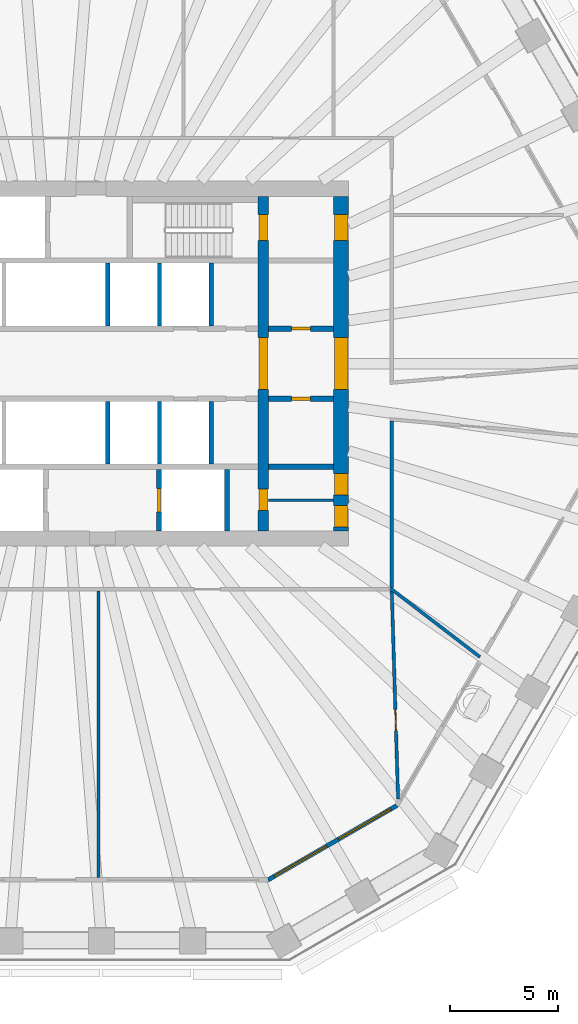
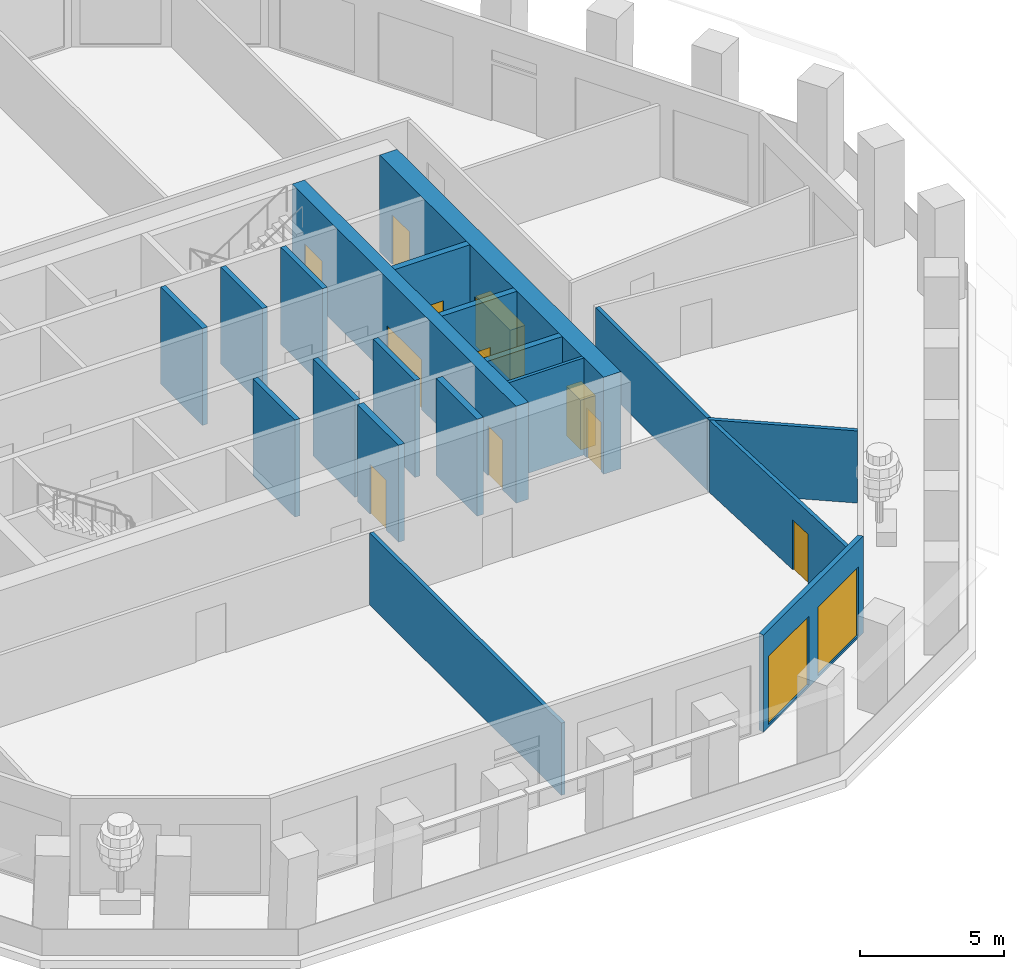
# One storey, part 5 of 12: 19 walls, 11 doors, 2 windows, 13 openings.
"""IFC4 building model written with IfcOpenShell, lengths in metres."""

from ifc_helpers import new_model, si_unit, direction, frame, frame_2d, origin, place, context, subcontext, project, spatial, polyline, rectangle, outline, extrude, material, layer, layer_set, type_object, element, fill, save


model = new_model("IFC4")

# Units and contexts
model_context = context("Model", 3, precision=1e-05, world=origin(), true_north=direction((0.0, 1.0)))
body_context = subcontext(model_context, "Body", "Model", "MODEL_VIEW")
ifc_project = project(units=[si_unit("LENGTHUNIT", "METRE"), si_unit("AREAUNIT", "SQUARE_METRE"), si_unit("VOLUMEUNIT", "CUBIC_METRE"), si_unit("PLANEANGLEUNIT", "RADIAN"), si_unit("MASSUNIT", "GRAM", prefix="KILO")], contexts=[model_context])

# Site, building, storey
site_placement = place(None, origin())
site = spatial("IfcSite", under=ifc_project, at=site_placement, CompositionType="ELEMENT")
building_placement = place(site_placement, origin())
building = spatial("IfcBuilding", under=site, at=building_placement, Name="Frailejon Research Tower", CompositionType="ELEMENT")
storey_placement = place(building_placement, frame((0.0, 0.0, 145.199951171875)))
storey = spatial("IfcBuildingStorey", under=building, at=storey_placement, Name="L31", CompositionType="ELEMENT", Elevation=145.199951171875)

# Wall
ifc_material_1 = material(Name="Plasterboard on steel studs", Category="steel")
ifc_layer_1 = layer(ifc_material_1, 0.125)
ifc_layer_set_1 = layer_set([ifc_layer_1], Name="Core partition 125")
wall_type_1 = type_object("IfcWallType", Name="Core partition 125", PredefinedType="PARTITIONING", material=ifc_layer_set_1)
wall_1_placement = place(storey_placement, frame((9.85009765625, -6.324951171875, 0.0), z_axis=(0.0, 0.0, 1.0), x_axis=(1.0, 0.0, 0.0)))
element("IfcWall", 1, at=wall_1_placement, inside=storey, type_object=wall_type_1, Name="Core partition", PredefinedType="PARTITIONING", context=body_context, shape_type="SweptSolid", body=[
    extrude(rectangle(XDim=3.0, YDim=0.125, at=frame_2d((1.5, 0.0))), origin(), (0.0, 0.0, 1.0), 4.10009765625),
])

# Wall, openings, doors
ifc_material_2 = material(Name="Concrete C60/75", Category="concrete")
ifc_layer_2 = layer(ifc_material_2, 0.5)
ifc_layer_set_2 = layer_set([ifc_layer_2], Name="Core shear wall 500 C60/75")
wall_type_2 = type_object("IfcWallType", Name="Core shear wall 500 C60/75", PredefinedType="SHEAR", material=ifc_layer_set_2)
wall_2_placement = place(storey_placement, frame((9.60009765625, -7.75, 0.0), z_axis=(0.0, 0.0, 1.0), x_axis=(0.0, 1.0, 0.0)))
wall_2 = element("IfcWall", 2, at=wall_2_placement, inside=storey, type_object=wall_type_2, Name="Core shear wall", PredefinedType="SHEAR", context=body_context, shape_type="SweptSolid", body=[
    extrude(rectangle(XDim=15.5, YDim=0.5, at=frame_2d((7.75, 0.0))), origin(), (0.0, 0.0, 1.0), 4.10009765625),
])
opening_1_placement = place(wall_2_placement, frame((6.550048828125, 0.0, 0.0)))
opening_1 = element("IfcOpeningElement", 3, at=opening_1_placement, cuts=wall_2, Name="Opening D2", PredefinedType="OPENING", context=body_context, shape_type="SweptSolid", body=[
    extrude(rectangle(XDim=2.39990234375, YDim=2.10009765625, at=frame_2d((1.199951171875, 1.050048828125))), frame((0.0, 0.260009765625, 0.0), z_axis=(0.0, -1.0, 0.0), x_axis=(1.0, 0.0, 0.0)), (0.0, 0.0, 1.0), 0.52001953125),
])
opening_2_placement = place(wall_2_placement, frame((13.449951171875, 0.0, 0.0)))
opening_2 = element("IfcOpeningElement", 4, at=opening_2_placement, cuts=wall_2, Name="Opening D1", PredefinedType="OPENING", context=body_context, shape_type="SweptSolid", body=[
    extrude(rectangle(XDim=1.199951171875, YDim=2.10009765625, at=frame_2d((0.60009765625, 1.050048828125))), frame((0.0, 0.260009765625, 0.0), z_axis=(0.0, -1.0, 0.0), x_axis=(1.0, 0.0, 0.0)), (0.0, 0.0, 1.0), 0.52001953125),
])
opening_3_placement = place(wall_2_placement, frame((0.949951171875, 0.0, 0.0)))
opening_3 = element("IfcOpeningElement", 5, at=opening_3_placement, cuts=wall_2, Name="Opening D4", PredefinedType="OPENING", context=body_context, shape_type="SweptSolid", body=[
    extrude(rectangle(XDim=1.0, YDim=2.10009765625, at=frame_2d((0.5, 1.050048828125))), frame((0.0, 0.260009765625, 0.0), z_axis=(0.0, -1.0, 0.0), x_axis=(1.0, 0.0, 0.0)), (0.0, 0.0, 1.0), 0.52001953125),
])
ifc_material_3 = material(Name="Steel", Category="steel")
door_type_1 = type_object("IfcDoorType", Name="Lobby double door", OperationType="DOUBLE_DOOR_SINGLE_SWING", PredefinedType="DOOR", material=ifc_material_3)
door_1_placement = place(opening_1_placement, origin())
door_1 = element("IfcDoor", 6, at=door_1_placement, inside=storey, type_object=door_type_1, Name="Lobby door", OperationType="DOUBLE_DOOR_SINGLE_SWING", OverallHeight=2.10009765625, OverallWidth=2.39990234375, PredefinedType="DOOR", context=body_context, shape_type="SweptSolid", body=[
    extrude(rectangle(XDim=2.39990234375, YDim=2.10009765625, at=frame_2d((1.199951171875, 1.050048828125))), frame((0.0, 0.199951171875, 0.0), z_axis=(0.0, -1.0, 0.0), x_axis=(1.0, 0.0, 0.0)), (0.0, 0.0, 1.0), 0.39990234375),
])
fill(opening_1, door_1)
ifc_material_4 = material(Name="Steel", Category="steel")
door_type_2 = type_object("IfcDoorType", Name="Service door", OperationType="SINGLE_SWING_LEFT", PredefinedType="DOOR", material=ifc_material_4)
door_2_placement = place(opening_3_placement, origin())
door_2 = element("IfcDoor", 7, at=door_2_placement, inside=storey, type_object=door_type_2, Name="Riser door", OperationType="SINGLE_SWING_RIGHT", OverallHeight=2.10009765625, OverallWidth=1.0, PredefinedType="DOOR", context=body_context, shape_type="SweptSolid", body=[
    extrude(rectangle(XDim=1.0, YDim=2.10009765625, at=frame_2d((0.5, 1.050048828125))), frame((0.0, 0.199951171875, 0.0), z_axis=(0.0, -1.0, 0.0), x_axis=(1.0, 0.0, 0.0)), (0.0, 0.0, 1.0), 0.39990234375),
])
fill(opening_3, door_2)
ifc_material_5 = material(Name="Steel", Category="steel")
door_type_3 = type_object("IfcDoorType", Name="Stair door", OperationType="SINGLE_SWING_LEFT", PredefinedType="DOOR", material=ifc_material_5)
door_3_placement = place(opening_2_placement, origin())
door_3 = element("IfcDoor", 8, at=door_3_placement, inside=storey, type_object=door_type_3, Name="Stair door ST3", OperationType="SINGLE_SWING_RIGHT", OverallHeight=2.10009765625, OverallWidth=1.199951171875, PredefinedType="DOOR", context=body_context, shape_type="SweptSolid", body=[
    extrude(rectangle(XDim=1.199951171875, YDim=2.10009765625, at=frame_2d((0.60009765625, 1.050048828125))), frame((0.0, 0.199951171875, 0.0), z_axis=(0.0, -1.0, 0.0), x_axis=(1.0, 0.0, 0.0)), (0.0, 0.0, 1.0), 0.39990234375),
])
fill(opening_2, door_3)

ifc_material_6 = material(Name="Concrete C60/75", Category="concrete")
ifc_layer_3 = layer(ifc_material_6, 0.699951171875)
ifc_layer_set_3 = layer_set([ifc_layer_3], Name="Core shear wall 700 C60/75")
wall_type_3 = type_object("IfcWallType", Name="Core shear wall 700 C60/75", PredefinedType="SHEAR", material=ifc_layer_set_3)
wall_3_placement = place(storey_placement, frame((13.199951171875, -7.75, 0.0), z_axis=(0.0, 0.0, 1.0), x_axis=(0.0, 1.0, 0.0)))
wall_3 = element("IfcWall", 9, at=wall_3_placement, inside=storey, type_object=wall_type_3, Name="Core shear wall", PredefinedType="SHEAR", context=body_context, shape_type="SweptSolid", body=[
    extrude(rectangle(XDim=15.5, YDim=0.699951171875, at=frame_2d((7.75, 0.0))), origin(), (0.0, 0.0, 1.0), 4.10009765625),
])
opening_4_placement = place(wall_3_placement, frame((6.550048828125, 0.0, 0.0)))
opening_4 = element("IfcOpeningElement", 10, at=opening_4_placement, cuts=wall_3, Name="Opening D2", PredefinedType="OPENING", context=body_context, shape_type="SweptSolid", body=[
    extrude(rectangle(XDim=2.39990234375, YDim=2.10009765625, at=frame_2d((1.199951171875, 1.050048828125))), frame((0.0, 0.35986328125, 0.0), z_axis=(0.0, -1.0, 0.0), x_axis=(1.0, 0.0, 0.0)), (0.0, 0.0, 1.0), 0.719970703125),
])
opening_5_placement = place(wall_3_placement, frame((13.449951171875, 0.0, 0.0)))
opening_5 = element("IfcOpeningElement", 11, at=opening_5_placement, cuts=wall_3, Name="Opening D7", PredefinedType="OPENING", context=body_context, shape_type="SweptSolid", body=[
    extrude(rectangle(XDim=1.199951171875, YDim=2.10009765625, at=frame_2d((0.60009765625, 1.050048828125))), frame((0.0, 0.35986328125, 0.0), z_axis=(0.0, -1.0, 0.0), x_axis=(1.0, 0.0, 0.0)), (0.0, 0.0, 1.0), 0.719970703125),
])
opening_6_placement = place(wall_3_placement, frame((0.181396484375, 0.0, 0.0)))
opening_6 = element("IfcOpeningElement", 12, at=opening_6_placement, cuts=wall_3, Name="Opening D4", PredefinedType="OPENING", context=body_context, shape_type="SweptSolid", body=[
    extrude(rectangle(XDim=1.0, YDim=2.10009765625, at=frame_2d((0.5, 1.050048828125))), frame((0.0, 0.35986328125, 0.0), z_axis=(0.0, -1.0, 0.0), x_axis=(1.0, 0.0, 0.0)), (0.0, 0.0, 1.0), 0.719970703125),
])
opening_7_placement = place(wall_3_placement, frame((1.668701171875, 0.0, 0.0)))
opening_7 = element("IfcOpeningElement", 13, at=opening_7_placement, cuts=wall_3, Name="Opening D4", PredefinedType="OPENING", context=body_context, shape_type="SweptSolid", body=[
    extrude(rectangle(XDim=1.0, YDim=2.10009765625, at=frame_2d((0.5, 1.050048828125))), frame((0.0, 0.35986328125, 0.0), z_axis=(0.0, -1.0, 0.0), x_axis=(1.0, 0.0, 0.0)), (0.0, 0.0, 1.0), 0.719970703125),
])
door_4_placement = place(opening_4_placement, origin())
door_4 = element("IfcDoor", 14, at=door_4_placement, inside=storey, type_object=door_type_1, Name="Lobby door", OperationType="DOUBLE_DOOR_SINGLE_SWING", OverallHeight=2.10009765625, OverallWidth=2.39990234375, PredefinedType="DOOR", context=body_context, shape_type="SweptSolid", body=[
    extrude(rectangle(XDim=2.39990234375, YDim=2.10009765625, at=frame_2d((1.199951171875, 1.050048828125))), frame((0.0, 0.300048828125, 0.0), z_axis=(0.0, -1.0, 0.0), x_axis=(1.0, 0.0, 0.0)), (0.0, 0.0, 1.0), 0.60009765625),
])
fill(opening_4, door_4)
door_5_placement = place(opening_6_placement, origin())
door_5 = element("IfcDoor", 15, at=door_5_placement, inside=storey, type_object=door_type_2, Name="Store door", OperationType="SINGLE_SWING_LEFT", OverallHeight=2.10009765625, OverallWidth=1.0, PredefinedType="DOOR", context=body_context, shape_type="SweptSolid", body=[
    extrude(rectangle(XDim=1.0, YDim=2.10009765625, at=frame_2d((0.5, 1.050048828125))), frame((0.0, 0.300048828125, 0.0), z_axis=(0.0, -1.0, 0.0), x_axis=(1.0, 0.0, 0.0)), (0.0, 0.0, 1.0), 0.60009765625),
])
fill(opening_6, door_5)
door_6_placement = place(opening_7_placement, origin())
door_6 = element("IfcDoor", 16, at=door_6_placement, inside=storey, type_object=door_type_2, Name="Store door", OperationType="SINGLE_SWING_RIGHT", OverallHeight=2.10009765625, OverallWidth=1.0, PredefinedType="DOOR", context=body_context, shape_type="SweptSolid", body=[
    extrude(rectangle(XDim=1.0, YDim=2.10009765625, at=frame_2d((0.5, 1.050048828125))), frame((0.0, 0.300048828125, 0.0), z_axis=(0.0, -1.0, 0.0), x_axis=(1.0, 0.0, 0.0)), (0.0, 0.0, 1.0), 0.60009765625),
])
fill(opening_7, door_6)
ifc_material_7 = material(Name="Steel", Category="steel")
door_type_4 = type_object("IfcDoorType", Name="Stair exit door", OperationType="SINGLE_SWING_LEFT", PredefinedType="DOOR", material=ifc_material_7)
door_7_placement = place(opening_5_placement, origin())
door_7 = element("IfcDoor", 17, at=door_7_placement, inside=storey, type_object=door_type_4, Name="Stair exit door ST3", OperationType="SINGLE_SWING_LEFT", OverallHeight=2.10009765625, OverallWidth=1.199951171875, PredefinedType="DOOR", context=body_context, shape_type="SweptSolid", body=[
    extrude(rectangle(XDim=1.199951171875, YDim=2.10009765625, at=frame_2d((0.60009765625, 1.050048828125))), frame((0.0, 0.300048828125, 0.0), z_axis=(0.0, -1.0, 0.0), x_axis=(1.0, 0.0, 0.0)), (0.0, 0.0, 1.0), 0.60009765625),
])
fill(opening_5, door_7)

# Walls
ifc_material_8 = material(Name="Gypsum board and masonry partition", Category="masonry")
ifc_layer_4 = layer(ifc_material_8, 0.14990234375)
ifc_layer_set_4 = layer_set([ifc_layer_4], Name="Corridor wall EI 60, gypsum on steel studs 150")
wall_type_4 = type_object("IfcWallType", Name="Corridor wall EI 60, gypsum on steel studs 150", PredefinedType="PARTITIONING", material=ifc_layer_set_4)
wall_4_placement = place(storey_placement, frame((15.550048828125, -10.375, 0.0), z_axis=(0.0, 0.0, 1.0), x_axis=(0.0, 1.0, 0.0)))
element("IfcWall", 18, at=wall_4_placement, inside=storey, type_object=wall_type_4, Name="T:IW:L31:001", PredefinedType="PARTITIONING", context=body_context, shape_type="SweptSolid", body=[
    extrude(rectangle(XDim=7.718017578125, YDim=0.14990234375, at=frame_2d((3.85888671875, 0.0))), origin(), (0.0, 0.0, 1.0), 3.050048828125),
])
ifc_material_9 = material(Name="Gypsum board and masonry partition", Category="masonry")
ifc_layer_5 = layer(ifc_material_9, 0.14990234375)
ifc_layer_set_5 = layer_set([ifc_layer_5], Name="Laboratory partition, blockwork 150")
wall_type_5 = type_object("IfcWallType", Name="Laboratory partition, blockwork 150", PredefinedType="PARTITIONING", material=ifc_layer_set_5)
wall_5_placement = place(storey_placement, frame((1.97119140625, -23.800048828125, 0.0), z_axis=(0.0, 0.0, 1.0), x_axis=(0.0, 1.0, 0.0)))
element("IfcWall", 19, at=wall_5_placement, inside=storey, type_object=wall_type_5, Name="T:IW:L31:018", PredefinedType="PARTITIONING", context=body_context, shape_type="SweptSolid", body=[
    extrude(rectangle(XDim=13.275146484375, YDim=0.14990234375, at=frame_2d((6.6376953125, 0.0))), origin(), (0.0, 0.0, 1.0), 3.050048828125),
])

# Wall, opening, door
wall_6_placement = place(storey_placement, frame((15.55224609375, -10.52490234375, 0.0), z_axis=(0.0, 0.0, 1.0), x_axis=(0.030379644099, -0.99953843209, 0.0)))
wall_6 = element("IfcWall", 20, at=wall_6_placement, inside=storey, type_object=wall_type_5, Name="T:IW:L31:019", PredefinedType="PARTITIONING", context=body_context, shape_type="SweptSolid", body=[
    extrude(rectangle(XDim=9.635498046875, YDim=0.14990234375, at=frame_2d((4.81787109375, 0.0))), origin(), (0.0, 0.0, 1.0), 3.050048828125),
])
opening_8_placement = place(wall_6_placement, frame((5.481689453125, 0.0, 0.0)))
opening_8 = element("IfcOpeningElement", 21, at=opening_8_placement, cuts=wall_6, Name="Opening D1706", PredefinedType="OPENING", context=body_context, shape_type="SweptSolid", body=[
    extrude(rectangle(XDim=1.0, YDim=2.10009765625, at=frame_2d((0.5, 1.050048828125))), frame((0.0, 0.0849609375, 0.0), z_axis=(0.0, -1.0, 0.0), x_axis=(1.0, 0.0, 0.0)), (0.0, 0.0, 1.0), 0.169921875),
])
ifc_material_10 = material(Name="Timber door leaf", Category="wood")
door_type_5 = type_object("IfcDoorType", Name="Door laboratory, timber, vision panel 1000", OperationType="NOTDEFINED", PredefinedType="DOOR", material=ifc_material_10)
door_8_placement = place(opening_8_placement, origin())
door_8 = element("IfcDoor", 22, at=door_8_placement, inside=storey, type_object=door_type_5, Name="D1706", OperationType="SINGLE_SWING_RIGHT", OverallHeight=2.10009765625, OverallWidth=1.0, PredefinedType="DOOR", context=body_context, shape_type="SweptSolid", body=[
    extrude(rectangle(XDim=1.0, YDim=2.10009765625, at=frame_2d((0.5, 1.050048828125))), frame((0.0, 0.02490234375, 0.0), z_axis=(0.0, -1.0, 0.0), x_axis=(1.0, 0.0, 0.0)), (0.0, 0.0, 1.0), 0.050048828125),
])
fill(opening_8, door_8)

# Walls
wall_7_placement = place(storey_placement, frame((15.490478515625, -10.404296875, 0.0), z_axis=(0.0, 0.0, 1.0), x_axis=(0.793633423359, -0.608396243683, 0.0)))
element("IfcWall", 23, at=wall_7_placement, inside=storey, type_object=wall_type_5, Name="T:IW:L31:020", PredefinedType="PARTITIONING", context=body_context, shape_type="SweptSolid", body=[
    extrude(rectangle(XDim=5.22705078125, YDim=0.14990234375, at=frame_2d((2.613525390625, 0.0))), origin(), (0.0, 0.0, 1.0), 3.050048828125),
])
ifc_material_11 = material(Name="Concrete C60/75", Category="concrete")
ifc_layer_6 = layer(ifc_material_11, 0.199951171875)
ifc_layer_set_6 = layer_set([ifc_layer_6], Name="Shaft wall 200 C60/75")
wall_type_6 = type_object("IfcWallType", Name="Shaft wall 200 C60/75", PredefinedType="SOLIDWALL", material=ifc_layer_set_6)
for number, where, z_axis, x_axis, name in (
    (24, (2.39990234375, 1.75, 0.0), (0.0, 0.0, 1.0), (0.0, 1.0, 0.0), "Shaft wall"),
    (25, (4.800048828125, 1.75, 0.0), (0.0, 0.0, 1.0), (0.0, 1.0, 0.0), "Shaft wall"),
    (26, (7.199951171875, 1.75, 0.0), (0.0, 0.0, 1.0), (0.0, 1.0, 0.0), "Shaft wall"),
    (27, (2.39990234375, -4.64990234375, 0.0), (0.0, 0.0, 1.0), (0.0, 1.0, 0.0), "Shaft wall"),
    (28, (4.800048828125, -4.64990234375, 0.0), (0.0, 0.0, 1.0), (0.0, 1.0, 0.0), "Shaft wall"),
    (29, (7.199951171875, -4.64990234375, 0.0), (0.0, 0.0, 1.0), (0.0, 1.0, 0.0), "Shaft wall"),
):
    element("IfcWall", number, at=place(storey_placement, frame(where, z_axis=z_axis, x_axis=x_axis)), inside=storey, type_object=wall_type_6, Name=name, PredefinedType="SOLIDWALL", context=body_context, shape_type="SweptSolid", body=[
        extrude(rectangle(XDim=2.89990234375, YDim=0.199951171875, at=frame_2d((1.449951171875, 0.0))), origin(), (0.0, 0.0, 1.0), 4.10009765625),
    ])

# Wall, opening, door
ifc_material_12 = material(Name="Concrete C60/75", Category="concrete")
ifc_layer_7 = layer(ifc_material_12, 0.25)
ifc_layer_set_7 = layer_set([ifc_layer_7], Name="Shaft wall 250 C60/75")
wall_type_7 = type_object("IfcWallType", Name="Shaft wall 250 C60/75", PredefinedType="SOLIDWALL", material=ifc_layer_set_7)
wall_8_placement = place(storey_placement, frame((9.85009765625, 1.625, 0.0), z_axis=(0.0, 0.0, 1.0), x_axis=(1.0, 0.0, 0.0)))
wall_8 = element("IfcWall", 30, at=wall_8_placement, inside=storey, type_object=wall_type_7, Name="Shaft wall", PredefinedType="SOLIDWALL", context=body_context, shape_type="SweptSolid", body=[
    extrude(rectangle(XDim=3.0, YDim=0.25, at=frame_2d((1.5, 0.0))), origin(), (0.0, 0.0, 1.0), 4.10009765625),
])
opening_9_placement = place(wall_8_placement, frame((1.050048828125, 0.0, 0.0)))
opening_9 = element("IfcOpeningElement", 31, at=opening_9_placement, cuts=wall_8, Name="Opening D8", PredefinedType="OPENING", context=body_context, shape_type="SweptSolid", body=[
    extrude(rectangle(XDim=0.89990234375, YDim=2.10009765625, at=frame_2d((0.449951171875, 1.050048828125))), frame((0.0, 0.135009765625, 0.0), z_axis=(0.0, -1.0, 0.0), x_axis=(1.0, 0.0, 0.0)), (0.0, 0.0, 1.0), 0.27001953125),
])
ifc_material_13 = material(Name="Steel", Category="steel")
door_type_6 = type_object("IfcDoorType", Name="Core room door", OperationType="SINGLE_SWING_LEFT", PredefinedType="DOOR", material=ifc_material_13)
door_9_placement = place(opening_9_placement, origin())
door_9 = element("IfcDoor", 32, at=door_9_placement, inside=storey, type_object=door_type_6, Name="Room door", OperationType="SINGLE_SWING_LEFT", OverallHeight=2.10009765625, OverallWidth=0.89990234375, PredefinedType="DOOR", context=body_context, shape_type="SweptSolid", body=[
    extrude(rectangle(XDim=0.89990234375, YDim=2.10009765625, at=frame_2d((0.449951171875, 1.050048828125))), frame((0.0, 0.074951171875, 0.0), z_axis=(0.0, -1.0, 0.0), x_axis=(1.0, 0.0, 0.0)), (0.0, 0.0, 1.0), 0.14990234375),
])
fill(opening_9, door_9)

wall_9_placement = place(storey_placement, frame((9.85009765625, -1.625, 0.0), z_axis=(0.0, 0.0, 1.0), x_axis=(1.0, 0.0, 0.0)))
wall_9 = element("IfcWall", 33, at=wall_9_placement, inside=storey, type_object=wall_type_7, Name="Shaft wall", PredefinedType="SOLIDWALL", context=body_context, shape_type="SweptSolid", body=[
    extrude(rectangle(XDim=3.0, YDim=0.25, at=frame_2d((1.5, 0.0))), origin(), (0.0, 0.0, 1.0), 4.10009765625),
])
opening_10_placement = place(wall_9_placement, frame((1.050048828125, 0.0, 0.0)))
opening_10 = element("IfcOpeningElement", 34, at=opening_10_placement, cuts=wall_9, Name="Opening D8", PredefinedType="OPENING", context=body_context, shape_type="SweptSolid", body=[
    extrude(rectangle(XDim=0.89990234375, YDim=2.10009765625, at=frame_2d((0.449951171875, 1.050048828125))), frame((0.0, 0.135009765625, 0.0), z_axis=(0.0, -1.0, 0.0), x_axis=(1.0, 0.0, 0.0)), (0.0, 0.0, 1.0), 0.27001953125),
])
door_10_placement = place(opening_10_placement, origin())
door_10 = element("IfcDoor", 35, at=door_10_placement, inside=storey, type_object=door_type_6, Name="Room door", OperationType="SINGLE_SWING_RIGHT", OverallHeight=2.10009765625, OverallWidth=0.89990234375, PredefinedType="DOOR", context=body_context, shape_type="SweptSolid", body=[
    extrude(rectangle(XDim=0.89990234375, YDim=2.10009765625, at=frame_2d((0.449951171875, 1.050048828125))), frame((0.0, 0.074951171875, 0.0), z_axis=(0.0, -1.0, 0.0), x_axis=(1.0, 0.0, 0.0)), (0.0, 0.0, 1.0), 0.14990234375),
])
fill(opening_10, door_10)

# Wall
wall_10_placement = place(storey_placement, frame((9.85009765625, -4.77490234375, 0.0), z_axis=(0.0, 0.0, 1.0), x_axis=(1.0, 0.0, 0.0)))
element("IfcWall", 36, at=wall_10_placement, inside=storey, type_object=wall_type_7, Name="Shaft wall", PredefinedType="SOLIDWALL", context=body_context, shape_type="SweptSolid", body=[
    extrude(rectangle(XDim=3.0, YDim=0.25, at=frame_2d((1.5, 0.0))), origin(), (0.0, 0.0, 1.0), 4.10009765625),
])

# Wall, opening, door
wall_11_placement = place(storey_placement, frame((4.77490234375, -7.75, 0.0), z_axis=(0.0, 0.0, 1.0), x_axis=(0.0, 1.0, 0.0)))
wall_11 = element("IfcWall", 37, at=wall_11_placement, inside=storey, type_object=wall_type_7, Name="Shaft wall", PredefinedType="SOLIDWALL", context=body_context, shape_type="SweptSolid", body=[
    extrude(rectangle(XDim=2.85009765625, YDim=0.25, at=frame_2d((1.425048828125, 0.0))), origin(), (0.0, 0.0, 1.0), 4.10009765625),
])
opening_11_placement = place(wall_11_placement, frame((0.875, 0.0, 0.0)))
opening_11 = element("IfcOpeningElement", 38, at=opening_11_placement, cuts=wall_11, Name="Opening LD", PredefinedType="OPENING", context=body_context, shape_type="SweptSolid", body=[
    extrude(rectangle(XDim=1.10009765625, YDim=2.10009765625, at=frame_2d((0.550048828125, 1.050048828125))), frame((0.0, 0.135009765625, 0.0), z_axis=(0.0, -1.0, 0.0), x_axis=(1.0, 0.0, 0.0)), (0.0, 0.0, 1.0), 0.27001953125),
])
ifc_material_14 = material(Name="Steel", Category="steel")
door_type_7 = type_object("IfcDoorType", Name="Lift landing door", OperationType="DOUBLE_DOOR_SLIDING", PredefinedType="DOOR", material=ifc_material_14)
door_11_placement = place(opening_11_placement, origin())
door_11 = element("IfcDoor", 39, at=door_11_placement, inside=storey, type_object=door_type_7, Name="Lift landing door", OperationType="DOUBLE_DOOR_SLIDING", OverallHeight=2.10009765625, OverallWidth=1.10009765625, PredefinedType="DOOR", context=body_context, shape_type="SweptSolid", body=[
    extrude(rectangle(XDim=1.10009765625, YDim=2.10009765625, at=frame_2d((0.550048828125, 1.050048828125))), frame((0.0, 0.074951171875, 0.0), z_axis=(0.0, -1.0, 0.0), x_axis=(1.0, 0.0, 0.0)), (0.0, 0.0, 1.0), 0.14990234375),
])
fill(opening_11, door_11)

# Wall
wall_12_placement = place(storey_placement, frame((7.925048828125, -7.75, 0.0), z_axis=(0.0, 0.0, 1.0), x_axis=(0.0, 1.0, 0.0)))
element("IfcWall", 40, at=wall_12_placement, inside=storey, type_object=wall_type_7, Name="Shaft wall", PredefinedType="SOLIDWALL", context=body_context, shape_type="SweptSolid", body=[
    extrude(rectangle(XDim=2.85009765625, YDim=0.25, at=frame_2d((1.425048828125, 0.0))), origin(), (0.0, 0.0, 1.0), 4.10009765625),
])

# Wall, openings, windows
ifc_material_15 = material(Name="Concrete C40/50 precast window wall panel", Category="concrete")
ifc_layer_8 = layer(ifc_material_15, 0.199951171875)
ifc_layer_set_8 = layer_set([ifc_layer_8], Name="Window wall 200")
wall_type_8 = type_object("IfcWallType", Name="Window wall 200", PredefinedType="SOLIDWALL", material=ifc_layer_set_8)
wall_13_placement = place(storey_placement, frame((9.82958984375, -23.89990234375, 0.0), z_axis=(0.0, 0.0, 1.0), x_axis=(0.866029458321, 0.49999297727, 0.0)))
wall_13 = element("IfcWall", 41, at=wall_13_placement, inside=storey, type_object=wall_type_8, Name="Exterior wall L31", PredefinedType="SOLIDWALL", context=body_context, shape_type="SweptSolid", body=[
    extrude(outline(polyline([(-0.02685546875, -0.10009765625), (1.1279296875, -0.10009765625), (2.282470703125, -0.10009765625), (3.437255859375, -0.10009765625), (4.592041015625, -0.10009765625), (5.74658203125, -0.10009765625), (6.9013671875, -0.10009765625), (6.84765625, 0.10009765625), (5.7109375, 0.10009765625), (4.573974609375, 0.10009765625), (3.437255859375, 0.10009765625), (2.300537109375, 0.10009765625), (1.16357421875, 0.10009765625), (0.02685546875, 0.10009765625), (-0.02685546875, -0.10009765625)])), origin(), (0.0, 0.0, 1.0), 4.10009765625),
])
opening_12_placement = place(wall_13_placement, frame((0.318603515625, 0.0, 0.10009765625)))
opening_12 = element("IfcOpeningElement", 42, at=opening_12_placement, cuts=wall_13, Name="Opening W3", PredefinedType="OPENING", context=body_context, shape_type="SweptSolid", body=[
    extrude(rectangle(XDim=2.800048828125, YDim=2.89990234375, at=frame_2d((1.39990234375, 1.449951171875))), frame((0.0, 0.10986328125, 0.0), z_axis=(0.0, -1.0, 0.0), x_axis=(1.0, 0.0, 0.0)), (0.0, 0.0, 1.0), 0.219970703125),
])
opening_13_placement = place(wall_13_placement, frame((3.756103515625, 0.0, 0.10009765625)))
opening_13 = element("IfcOpeningElement", 43, at=opening_13_placement, cuts=wall_13, Name="Opening W3", PredefinedType="OPENING", context=body_context, shape_type="SweptSolid", body=[
    extrude(rectangle(XDim=2.800048828125, YDim=2.89990234375, at=frame_2d((1.39990234375, 1.449951171875))), frame((0.0, 0.10986328125, 0.0), z_axis=(0.0, -1.0, 0.0), x_axis=(1.0, 0.0, 0.0)), (0.0, 0.0, 1.0), 0.219970703125),
])
ifc_material_16 = material(Name="Aluminium framed double glazing", Category="aluminium")
window_type = type_object("IfcWindowType", Name="Window 2800x2900", PartitioningType="SINGLE_PANEL", PredefinedType="WINDOW", material=ifc_material_16)
window_1_placement = place(opening_12_placement, origin())
window_1 = element("IfcWindow", 44, at=window_1_placement, inside=storey, type_object=window_type, Name="Window L31", OverallHeight=2.89990234375, OverallWidth=2.800048828125, PartitioningType="SINGLE_PANEL", PredefinedType="WINDOW", context=body_context, shape_type="SweptSolid", body=[
    extrude(rectangle(XDim=2.800048828125, YDim=2.89990234375, at=frame_2d((1.39990234375, 1.449951171875))), frame((0.0, 0.030029296875, 0.0), z_axis=(0.0, -1.0, 0.0), x_axis=(1.0, 0.0, 0.0)), (0.0, 0.0, 1.0), 0.06005859375),
])
fill(opening_12, window_1)
window_2_placement = place(opening_13_placement, origin())
window_2 = element("IfcWindow", 45, at=window_2_placement, inside=storey, type_object=window_type, Name="Window L31", OverallHeight=2.89990234375, OverallWidth=2.800048828125, PartitioningType="SINGLE_PANEL", PredefinedType="WINDOW", context=body_context, shape_type="SweptSolid", body=[
    extrude(rectangle(XDim=2.800048828125, YDim=2.89990234375, at=frame_2d((1.39990234375, 1.449951171875))), frame((0.0, 0.030029296875, 0.0), z_axis=(0.0, -1.0, 0.0), x_axis=(1.0, 0.0, 0.0)), (0.0, 0.0, 1.0), 0.06005859375),
])
fill(opening_13, window_2)

save(model, "model.ifc")
